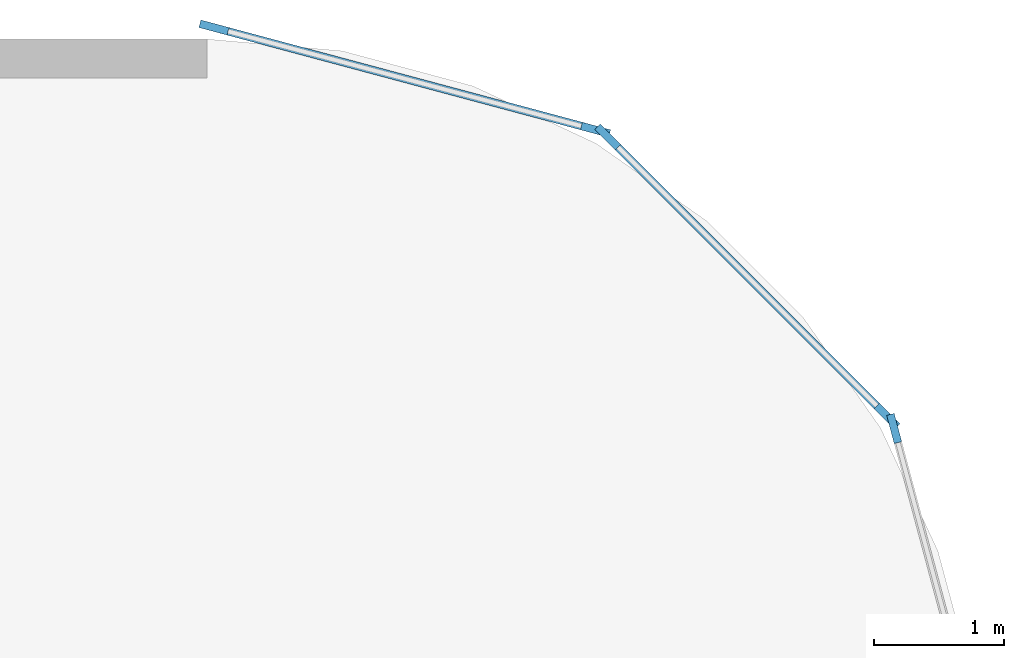
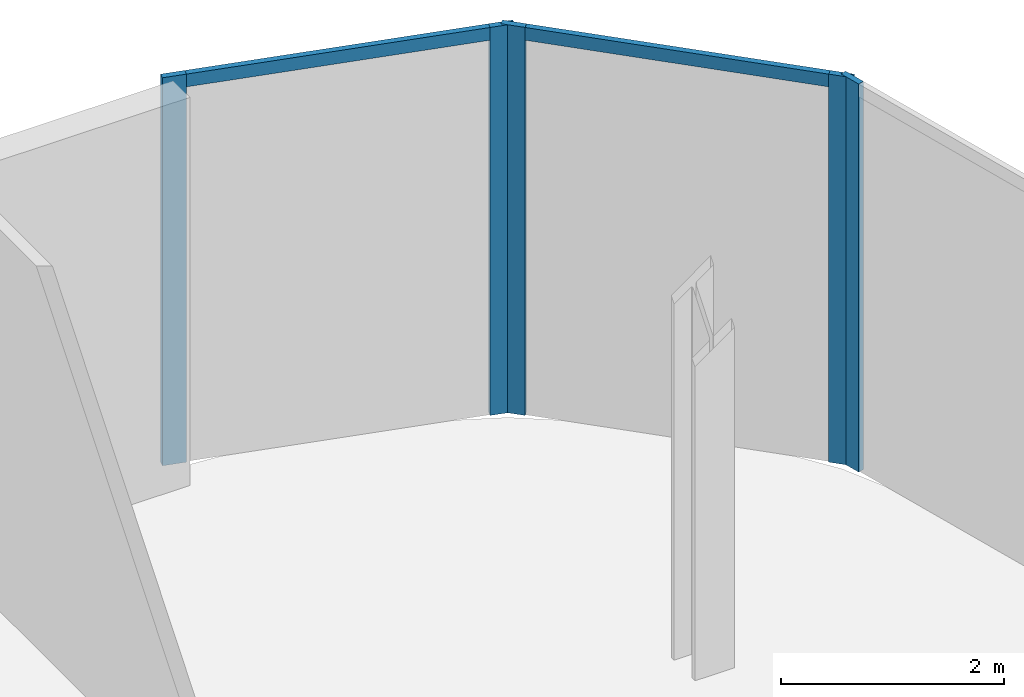
# One storey, part 23 of 47: 7 members, 3 elements without a shape of their own.
"""IFC4 building model written with IfcOpenShell, lengths in metres."""

from ifc_helpers import new_model, si_unit, direction, frame, origin, origin_2d, place, context, subcontext, project, spatial, rectangle, extrude, material, layer, layer_set, material_profile, profile_set, type_object, element, aggregate, save


model = new_model("IFC4")

# Units and contexts
model_context = context("Model", 3, precision=1e-05, world=origin(), true_north=direction((0.0, 1.0)))
body_context = subcontext(model_context, "Body", "Model", "MODEL_VIEW")
ifc_project = project(units=[si_unit("LENGTHUNIT", "METRE"), si_unit("AREAUNIT", "SQUARE_METRE"), si_unit("VOLUMEUNIT", "CUBIC_METRE"), si_unit("PLANEANGLEUNIT", "RADIAN"), si_unit("MASSUNIT", "GRAM", prefix="KILO")], contexts=[model_context])

# Site, building, storey
site_placement = place(None, origin())
site = spatial("IfcSite", under=ifc_project, at=site_placement, CompositionType="ELEMENT")
building_placement = place(site_placement, origin())
building = spatial("IfcBuilding", under=site, at=building_placement, Name="Kheshtan School and Residences Tower", CompositionType="ELEMENT")
storey_placement = place(building_placement, frame((0.0, 0.0, 17.0)))
storey = spatial("IfcBuildingStorey", under=building, at=storey_placement, Name="L03", CompositionType="ELEMENT", Elevation=17.0)

# Curtain wall, members
ifc_material_1 = material(Name="Clear low-e glass in thermally broken aluminium frame", Category="aluminium")
ifc_layer = layer(ifc_material_1, 0.22509765625)
ifc_layer_set = layer_set([ifc_layer], Name="Curtain wall CW-P")
curtain_wall_type = type_object("IfcCurtainWallType", Name="Curtain wall CW-P", PredefinedType="NOTDEFINED", material=ifc_layer_set)
curtain_wall_1_placement = place(storey_placement, origin())
curtain_wall_1 = element("IfcCurtainWall", 1, at=curtain_wall_1_placement, inside=storey, type_object=curtain_wall_type, Name="Curtain wall CWP5a", PredefinedType="NOTDEFINED")
ifc_material_2 = material(Name="Thermally broken aluminium, dark bronze anodised", Category="aluminium")
ifc_material_profile_1 = material_profile(ifc_material_2, rectangle(XDim=0.06005859375, YDim=0.22509765625, at=origin_2d()), Name="CW-P mullion 60x225")
ifc_profile_set_1 = profile_set([ifc_material_profile_1], Name="Thermally broken aluminium, dark bronze anodised")
member_type_1 = type_object("IfcMemberType", Name="CW-P mullion 60x225", PredefinedType="MULLION", material=ifc_profile_set_1)
member_1_placement = place(storey_placement, frame((126.054931640625, 110.0888671875, 0.0), z_axis=(0.0, 0.0, 1.0), x_axis=(0.258864833085, 0.965913556273, 0.0)))
member_1 = element("IfcMember", 2, at=member_1_placement, type_object=member_type_1, Name="CWP5a mullion 1", PredefinedType="MULLION", context=body_context, shape_type="SweptSolid", body=[
    extrude(rectangle(XDim=0.06005859375, YDim=0.22509765625, at=origin_2d()), origin(), (0.0, 0.0, 1.0), 4.25),
])
member_2_placement = place(storey_placement, frame((128.996826171875, 109.30029296875, 0.0), z_axis=(0.0, 0.0, 1.0), x_axis=(0.258864833085, 0.965913556273, 0.0)))
member_2 = element("IfcMember", 3, at=member_2_placement, type_object=member_type_1, Name="CWP5a mullion 2", PredefinedType="MULLION", context=body_context, shape_type="SweptSolid", body=[
    extrude(rectangle(XDim=0.06005859375, YDim=0.22509765625, at=origin_2d()), origin(), (0.0, 0.0, 1.0), 4.25),
])

curtain_wall_2_placement = place(storey_placement, origin())
curtain_wall_2 = element("IfcCurtainWall", 4, at=curtain_wall_2_placement, inside=storey, type_object=curtain_wall_type, Name="Curtain wall CWP6a", PredefinedType="NOTDEFINED")
member_3_placement = place(storey_placement, frame((129.092041015625, 109.24560546875, 0.0), z_axis=(0.0, 0.0, 1.0), x_axis=(0.707106781187, 0.707106781187, 0.0)))
member_3 = element("IfcMember", 5, at=member_3_placement, type_object=member_type_1, Name="CWP6a mullion 1", PredefinedType="MULLION", context=body_context, shape_type="SweptSolid", body=[
    extrude(rectangle(XDim=0.06005859375, YDim=0.22509765625, at=origin_2d()), origin(), (0.0, 0.0, 1.0), 4.25),
])
member_4_placement = place(storey_placement, frame((131.24560546875, 107.092041015625, 0.0), z_axis=(0.0, 0.0, 1.0), x_axis=(0.707106781187, 0.707106781187, 0.0)))
member_4 = element("IfcMember", 6, at=member_4_placement, type_object=member_type_1, Name="CWP6a mullion 2", PredefinedType="MULLION", context=body_context, shape_type="SweptSolid", body=[
    extrude(rectangle(XDim=0.06005859375, YDim=0.22509765625, at=origin_2d()), origin(), (0.0, 0.0, 1.0), 4.25),
])

# Curtain wall, member
curtain_wall_3_placement = place(storey_placement, origin())
curtain_wall_3 = element("IfcCurtainWall", 7, at=curtain_wall_3_placement, inside=storey, type_object=curtain_wall_type, Name="Curtain wall CWP7a", PredefinedType="NOTDEFINED")
member_5_placement = place(storey_placement, frame((131.30029296875, 106.996826171875, 0.0), z_axis=(0.0, 0.0, 1.0), x_axis=(0.965913556273, 0.258864833085, 0.0)))
member_5 = element("IfcMember", 8, at=member_5_placement, type_object=member_type_1, Name="CWP7a mullion 1", PredefinedType="MULLION", context=body_context, shape_type="SweptSolid", body=[
    extrude(rectangle(XDim=0.06005859375, YDim=0.22509765625, at=origin_2d()), origin(), (0.0, 0.0, 1.0), 4.25),
])
aggregate(curtain_wall_3, [member_5])

# Member
ifc_material_profile_2 = material_profile(ifc_material_2, rectangle(XDim=0.06005859375, YDim=0.139892578125, at=origin_2d()), Name="CW-P transom 60x140")
ifc_profile_set_2 = profile_set([ifc_material_profile_2], Name="Thermally broken aluminium, dark bronze anodised")
member_type_2 = type_object("IfcMemberType", Name="CW-P transom 60x140", PredefinedType="USERDEFINED", material=ifc_profile_set_2)
member_6_placement = place(storey_placement, frame((126.083740234375, 110.0810546875, 4.179931640625), z_axis=(0.965916663607, -0.258853238275, 0.0), x_axis=(0.258853238275, 0.965916663607, 0.0)))
member_6 = element("IfcMember", 9, at=member_6_placement, type_object=member_type_2, Name="CWP5a transom 1", ObjectType="TRANSOM", PredefinedType="USERDEFINED", context=body_context, shape_type="SweptSolid", body=[
    extrude(rectangle(XDim=0.06005859375, YDim=0.139892578125, at=origin_2d()), origin(), (0.0, 0.0, 1.0), 2.986083984375),
])

aggregate(curtain_wall_1, [member_1, member_2, member_6])

member_7_placement = place(storey_placement, frame((129.113037109375, 109.224365234375, 4.179931640625), z_axis=(0.707106781187, -0.707106781187, 0.0), x_axis=(0.707106781187, 0.707106781187, 0.0)))
member_7 = element("IfcMember", 10, at=member_7_placement, type_object=member_type_2, Name="CWP6a transom 1", ObjectType="TRANSOM", PredefinedType="USERDEFINED", context=body_context, shape_type="SweptSolid", body=[
    extrude(rectangle(XDim=0.06005859375, YDim=0.139892578125, at=origin_2d()), origin(), (0.0, 0.0, 1.0), 2.98583984375),
])

aggregate(curtain_wall_2, [member_3, member_4, member_7])

save(model, "model.ifc")
